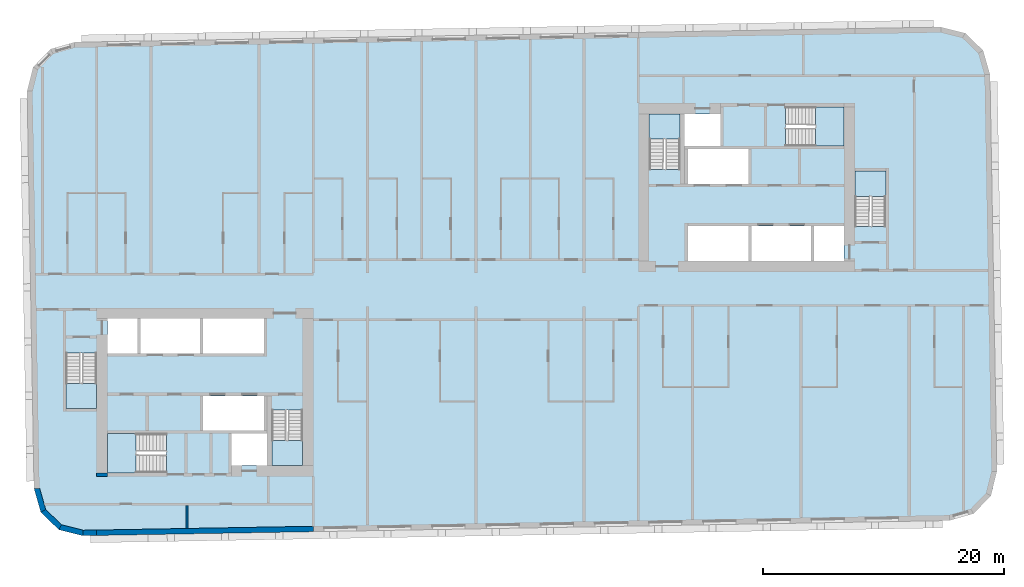
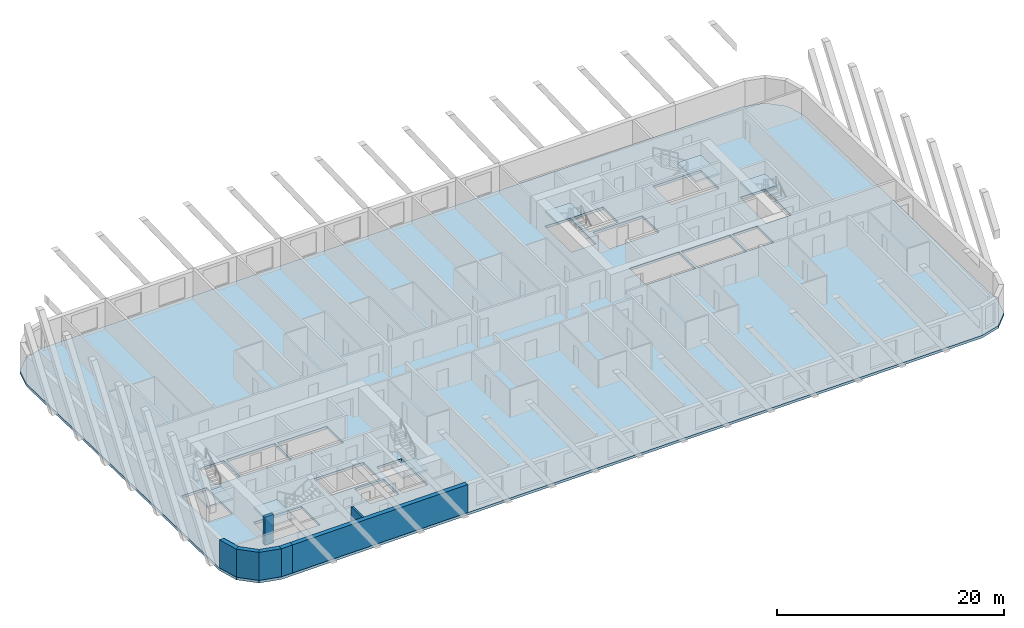
# One storey, part 1 of 12: 7 slabs, 7 walls, 6 elements without a shape of their own.
"""IFC4 building model written with IfcOpenShell, lengths in metres."""

from ifc_helpers import new_model, si_unit, direction, frame, frame_2d, origin, place, context, subcontext, project, spatial, polyline, rectangle, outline, extrude, material, layer, layer_set, type_object, element, aggregate, save


model = new_model("IFC4")

# Units and contexts
model_context = context("Model", 3, precision=1e-05, world=origin(), true_north=direction((0.0, 1.0)))
body_context = subcontext(model_context, "Body", "Model", "MODEL_VIEW")
ifc_project = project(units=[si_unit("LENGTHUNIT", "METRE"), si_unit("AREAUNIT", "SQUARE_METRE"), si_unit("VOLUMEUNIT", "CUBIC_METRE"), si_unit("PLANEANGLEUNIT", "RADIAN"), si_unit("MASSUNIT", "GRAM", prefix="KILO")], contexts=[model_context])

# Site, building, storey
site_placement = place(None, origin())
site = spatial("IfcSite", under=ifc_project, at=site_placement, CompositionType="ELEMENT")
building_placement = place(site_placement, origin())
building = spatial("IfcBuilding", under=site, at=building_placement, Name="Kajstack Hotel Tower", CompositionType="ELEMENT")
storey_placement = place(building_placement, frame((0.0, 0.0, 217.699951171875)))
storey = spatial("IfcBuildingStorey", under=building, at=storey_placement, Name="L52", CompositionType="ELEMENT", Elevation=217.699951171875)

# Slab
ifc_material_1 = material(Name="Concrete C40/50", Category="concrete")
ifc_layer_1 = layer(ifc_material_1, 0.280029296875)
ifc_layer_set_1 = layer_set([ifc_layer_1], Name="RC slab 280 C40/50 guest")
slab_type_1 = type_object("IfcSlabType", Name="RC slab 280 C40/50 guest", PredefinedType="FLOOR", material=ifc_layer_set_1)
slab_1_placement = place(storey_placement, frame((0.0, 0.0, -0.280029296875)))
element("IfcSlab", 1, at=slab_1_placement, inside=storey, type_object=slab_type_1, Name="S-slab-L52", PredefinedType="FLOOR", context=body_context, shape_type="SweptSolid", body=[
    extrude(outline(polyline([(-37.281982421875, 16.49951171875), (-36.705810546875, -16.49560546875), (-36.13525390625, -18.48583984375), (-34.645751953125, -19.92431640625), (-32.63671875, -20.42529296875), (39.352294921875, -19.168701171875), (41.342529296875, -18.597900390625), (42.781005859375, -17.1083984375), (43.281982421875, -15.099365234375), (42.705810546875, 17.8955078125), (42.13525390625, 19.885986328125), (40.645751953125, 21.32421875), (38.63671875, 21.8251953125), (-33.352294921875, 20.568603515625), (-35.342529296875, 19.997802734375), (-36.781005859375, 18.50830078125), (-37.281982421875, 16.49951171875)]), holes=[polyline([(-22.64990234375, -11.699951171875), (-22.64990234375, -8.800048828125), (-17.60009765625, -8.800048828125), (-17.60009765625, -11.699951171875), (-22.64990234375, -11.699951171875)]), polyline([(-27.85009765625, -5.300048828125), (-27.85009765625, -2.39990234375), (-22.89990234375, -2.39990234375), (-22.89990234375, -5.300048828125), (-27.85009765625, -5.300048828125)]), polyline([(-22.64990234375, -5.300048828125), (-22.64990234375, -2.39990234375), (-17.60009765625, -2.39990234375), (-17.60009765625, -5.300048828125), (-22.64990234375, -5.300048828125)]), polyline([(-20.300048828125, -14.60009765625), (-17.35009765625, -14.60009765625), (-17.35009765625, -11.949951171875), (-20.300048828125, -11.949951171875), (-20.300048828125, -14.60009765625)]), polyline([(-30.60009765625, -5.300048828125), (-28.10009765625, -5.300048828125), (-28.10009765625, -2.39990234375), (-30.60009765625, -2.39990234375), (-30.60009765625, -5.300048828125)]), polyline([(17.60009765625, 8.800048828125), (17.60009765625, 11.699951171875), (22.64990234375, 11.699951171875), (22.64990234375, 8.800048828125), (17.60009765625, 8.800048828125)]), polyline([(22.89990234375, 2.39990234375), (22.89990234375, 5.300048828125), (27.85009765625, 5.300048828125), (27.85009765625, 2.39990234375), (22.89990234375, 2.39990234375)]), polyline([(17.60009765625, 2.39990234375), (17.60009765625, 5.300048828125), (22.64990234375, 5.300048828125), (22.64990234375, 2.39990234375), (17.60009765625, 2.39990234375)]), polyline([(20.300048828125, 14.60009765625), (17.35009765625, 14.60009765625), (17.35009765625, 11.949951171875), (20.300048828125, 11.949951171875), (20.300048828125, 14.60009765625)]), polyline([(30.60009765625, 5.300048828125), (28.10009765625, 5.300048828125), (28.10009765625, 2.39990234375), (30.60009765625, 2.39990234375), (30.60009765625, 5.300048828125)]), polyline([(-34.050048828125, -9.85009765625), (-31.5, -9.85009765625), (-31.5, -5.25), (-34.050048828125, -5.25), (-34.050048828125, -9.85009765625)]), polyline([(-16.949951171875, -14.60009765625), (-14.39990234375, -14.60009765625), (-14.39990234375, -10.0), (-16.949951171875, -10.0), (-16.949951171875, -14.60009765625)]), polyline([(-30.60009765625, -15.199951171875), (-25.699951171875, -15.199951171875), (-25.699951171875, -11.949951171875), (-30.60009765625, -11.949951171875), (-30.60009765625, -15.199951171875)]), polyline([(34.050048828125, 9.85009765625), (31.5, 9.85009765625), (31.5, 5.25), (34.050048828125, 5.25), (34.050048828125, 9.85009765625)]), polyline([(16.949951171875, 14.60009765625), (14.39990234375, 14.60009765625), (14.39990234375, 10.0), (16.949951171875, 10.0), (16.949951171875, 14.60009765625)]), polyline([(30.60009765625, 15.199951171875), (25.699951171875, 15.199951171875), (25.699951171875, 11.949951171875), (30.60009765625, 11.949951171875), (30.60009765625, 15.199951171875)])]), origin(), (0.0, 0.0, 1.0), 0.280029296875),
])

# Stair, slab
stair_type_1 = type_object("IfcStairType", Name="Exit stair 1200", PredefinedType="HALF_TURN_STAIR", material=ifc_material_1)
stair_1_placement = place(storey_placement, origin())
stair_1 = element("IfcStair", 2, at=stair_1_placement, inside=storey, type_object=stair_type_1, Name="L52 stair W1", PredefinedType="HALF_TURN_STAIR")
ifc_layer_2 = layer(ifc_material_1, 0.199951171875)
ifc_layer_set_2 = layer_set([ifc_layer_2], Name="Stair landing 200")
slab_type_2 = type_object("IfcSlabType", Name="Stair landing 200", PredefinedType="LANDING", material=ifc_layer_set_2)
slab_2_placement = place(storey_placement, frame((0.0, 0.0, 1.449951171875)))
slab_2 = element("IfcSlab", 3, at=slab_2_placement, type_object=slab_type_2, Name="W1 landing 1", PredefinedType="LANDING", context=body_context, shape_type="SweptSolid", body=[
    extrude(outline(polyline([(-34.050048828125, -7.77001953125), (-34.050048828125, -9.85009765625), (-31.5, -9.85009765625), (-31.5, -7.77001953125), (-34.050048828125, -7.77001953125)])), origin(), (0.0, 0.0, 1.0), 0.2001953125),
])
aggregate(stair_1, [slab_2])

stair_2_placement = place(storey_placement, origin())
stair_2 = element("IfcStair", 4, at=stair_2_placement, inside=storey, type_object=stair_type_1, Name="L52 stair W2", PredefinedType="HALF_TURN_STAIR")
slab_3_placement = place(storey_placement, frame((0.0, 0.0, 1.449951171875)))
slab_3 = element("IfcSlab", 5, at=slab_3_placement, type_object=slab_type_2, Name="W2 landing 1", PredefinedType="LANDING", context=body_context, shape_type="SweptSolid", body=[
    extrude(outline(polyline([(-16.949951171875, -12.52001953125), (-16.949951171875, -14.60009765625), (-14.39990234375, -14.60009765625), (-14.39990234375, -12.52001953125), (-16.949951171875, -12.52001953125)])), origin(), (0.0, 0.0, 1.0), 0.2001953125),
])
aggregate(stair_2, [slab_3])

stair_type_2 = type_object("IfcStairType", Name="Exit stair 1500", PredefinedType="HALF_TURN_STAIR", material=ifc_material_1)
stair_3_placement = place(storey_placement, origin())
stair_3 = element("IfcStair", 6, at=stair_3_placement, inside=storey, type_object=stair_type_2, Name="L52 stair W3", PredefinedType="HALF_TURN_STAIR")
slab_4_placement = place(storey_placement, frame((0.0, 0.0, 1.449951171875)))
slab_4 = element("IfcSlab", 7, at=slab_4_placement, type_object=slab_type_2, Name="W3 landing 1", PredefinedType="LANDING", context=body_context, shape_type="SweptSolid", body=[
    extrude(outline(polyline([(-28.219970703125, -11.949951171875), (-30.60009765625, -11.949951171875), (-30.60009765625, -15.199951171875), (-28.219970703125, -15.199951171875), (-28.219970703125, -11.949951171875)])), origin(), (0.0, 0.0, 1.0), 0.2001953125),
])
aggregate(stair_3, [slab_4])

stair_4_placement = place(storey_placement, origin())
stair_4 = element("IfcStair", 8, at=stair_4_placement, inside=storey, type_object=stair_type_1, Name="L52 stair E1", PredefinedType="HALF_TURN_STAIR")
slab_5_placement = place(storey_placement, frame((0.0, 0.0, 1.449951171875)))
slab_5 = element("IfcSlab", 9, at=slab_5_placement, type_object=slab_type_2, Name="E1 landing 1", PredefinedType="LANDING", context=body_context, shape_type="SweptSolid", body=[
    extrude(outline(polyline([(34.050048828125, 7.77001953125), (34.050048828125, 9.85009765625), (31.5, 9.85009765625), (31.5, 7.77001953125), (34.050048828125, 7.77001953125)])), origin(), (0.0, 0.0, 1.0), 0.2001953125),
])
aggregate(stair_4, [slab_5])

stair_5_placement = place(storey_placement, origin())
stair_5 = element("IfcStair", 10, at=stair_5_placement, inside=storey, type_object=stair_type_1, Name="L52 stair E2", PredefinedType="HALF_TURN_STAIR")
slab_6_placement = place(storey_placement, frame((0.0, 0.0, 1.449951171875)))
slab_6 = element("IfcSlab", 11, at=slab_6_placement, type_object=slab_type_2, Name="E2 landing 1", PredefinedType="LANDING", context=body_context, shape_type="SweptSolid", body=[
    extrude(outline(polyline([(16.949951171875, 12.52001953125), (16.949951171875, 14.60009765625), (14.39990234375, 14.60009765625), (14.39990234375, 12.52001953125), (16.949951171875, 12.52001953125)])), origin(), (0.0, 0.0, 1.0), 0.2001953125),
])
aggregate(stair_5, [slab_6])

stair_6_placement = place(storey_placement, origin())
stair_6 = element("IfcStair", 12, at=stair_6_placement, inside=storey, type_object=stair_type_2, Name="L52 stair E3", PredefinedType="HALF_TURN_STAIR")
slab_7_placement = place(storey_placement, frame((0.0, 0.0, 1.449951171875)))
slab_7 = element("IfcSlab", 13, at=slab_7_placement, type_object=slab_type_2, Name="E3 landing 1", PredefinedType="LANDING", context=body_context, shape_type="SweptSolid", body=[
    extrude(outline(polyline([(28.219970703125, 11.949951171875), (30.60009765625, 11.949951171875), (30.60009765625, 15.199951171875), (28.219970703125, 15.199951171875), (28.219970703125, 11.949951171875)])), origin(), (0.0, 0.0, 1.0), 0.2001953125),
])
aggregate(stair_6, [slab_7])

# Walls
ifc_material_2 = material(Name="Concrete C60/75", Category="concrete")
ifc_layer_3 = layer(ifc_material_2, 0.89990234375)
ifc_layer_set_3 = layer_set([ifc_layer_3], Name="Core wall 900")
wall_type_1 = type_object("IfcWallType", Name="Core wall 900", PredefinedType="SHEAR", material=ifc_layer_set_3)
wall_1_placement = place(storey_placement, frame((-31.5, -15.35009765625, 0.0), z_axis=(0.0, 0.0, 1.0), x_axis=(1.0, 0.0, 0.0)))
element("IfcWall", 14, at=wall_1_placement, inside=storey, type_object=wall_type_1, Name="Core wall W RSW", PredefinedType="SHEAR", context=body_context, shape_type="SweptSolid", body=[
    extrude(rectangle(XDim=0.89990234375, YDim=0.300048828125, at=frame_2d((0.449951171875, 0.0))), origin(), (0.0, 0.0, 1.0), 3.02001953125),
])
ifc_layer_4 = layer(ifc_material_1, 0.449951171875)
ifc_layer_set_4 = layer_set([ifc_layer_4], Name="EW-CORE")
wall_type_2 = type_object("IfcWallType", Name="EW-CORE", PredefinedType="SOLIDWALL", material=ifc_layer_set_4)
wall_2_placement = place(storey_placement, frame((-31.50390625, -20.180419921875, 0.0), z_axis=(0.0, 0.0, 1.0), x_axis=(0.999847677887, 0.017453395744, 0.0)))
element("IfcWall", 15, at=wall_2_placement, inside=storey, type_object=wall_type_2, Name="E-wall-L52-04-01", PredefinedType="SOLIDWALL", context=body_context, shape_type="SweptSolid", body=[
    extrude(rectangle(XDim=18.002685546875, YDim=0.449951171875, at=frame_2d((9.00146484375, 0.0))), origin(), (0.0, 0.0, 1.0), 3.02001953125),
])
ifc_material_3 = material(Name="Terracotta-faced brick masonry", Category="masonry")
ifc_layer_5 = layer(ifc_material_3, 0.449951171875)
ifc_layer_set_5 = layer_set([ifc_layer_5], Name="EW-TERRA")
wall_type_3 = type_object("IfcWallType", Name="EW-TERRA", PredefinedType="SOLIDWALL", material=ifc_layer_set_5)
wall_3_placement = place(storey_placement, frame((-36.489501953125, -16.43359375, 0.0), z_axis=(0.0, 0.0, 1.0), x_axis=(0.275577603096, -0.961278827745, 0.0)))
element("IfcWall", 16, at=wall_3_placement, inside=storey, type_object=wall_type_3, Name="E-wall-L52-01-00", PredefinedType="SOLIDWALL", context=body_context, shape_type="SweptSolid", body=[
    extrude(outline(polyline([(0.0, -0.22509765625), (2.070556640625, -0.22509765625), (1.949951171875, 0.22509765625), (0.12060546875, 0.224853515625), (0.0, -0.22509765625)])), origin(), (0.0, 0.0, 1.0), 3.02001953125),
])
wall_4_placement = place(storey_placement, frame((-35.97900390625, -18.323974609375, 0.0), z_axis=(0.0, 0.0, 1.0), x_axis=(0.719320193998, -0.694678672846, 0.0)))
element("IfcWall", 17, at=wall_4_placement, inside=storey, type_object=wall_type_3, Name="E-wall-L52-02-00", PredefinedType="SOLIDWALL", context=body_context, shape_type="SweptSolid", body=[
    extrude(outline(polyline([(0.000244140625, -0.22509765625), (2.07080078125, -0.22509765625), (1.9501953125, 0.22509765625), (0.12060546875, 0.22509765625), (0.000244140625, -0.22509765625)])), origin(), (0.0, 0.0, 1.0), 3.02001953125),
])
wall_5_placement = place(storey_placement, frame((-34.59130859375, -19.7060546875, 0.0), z_axis=(0.0, 0.0, 1.0), x_axis=(0.970315655375, -0.241841950319, 0.0)))
element("IfcWall", 18, at=wall_5_placement, inside=storey, type_object=wall_type_3, Name="E-wall-L52-03-00", PredefinedType="SOLIDWALL", context=body_context, shape_type="SweptSolid", body=[
    extrude(outline(polyline([(0.0, -0.224853515625), (2.070556640625, -0.22509765625), (1.949951171875, 0.224853515625), (0.12060546875, 0.22509765625), (0.0, -0.224853515625)])), origin(), (0.0, 0.0, 1.0), 3.02001953125),
])
wall_6_placement = place(storey_placement, frame((-32.640625, -20.2001953125, 0.0), z_axis=(0.0, 0.0, 1.0), x_axis=(0.99984870815, 0.017394275206, 0.0)))
element("IfcWall", 19, at=wall_6_placement, inside=storey, type_object=wall_type_3, Name="E-wall-L52-04-00", PredefinedType="SOLIDWALL", context=body_context, shape_type="SweptSolid", body=[
    extrude(rectangle(XDim=1.136962890625, YDim=0.449951171875, at=frame_2d((0.568359375, 0.0))), origin(), (0.0, 0.0, 1.0), 3.02001953125),
])
ifc_material_4 = material(Name="Gypsum board on steel studs, mineral wool", Category="steel")
ifc_layer_6 = layer(ifc_material_4, 0.199951171875)
ifc_layer_set_6 = layer_set([ifc_layer_6], Name="Service partition 200")
wall_type_4 = type_object("IfcWallType", Name="Service partition 200", PredefinedType="PARTITIONING", material=ifc_layer_set_6)
wall_7_placement = place(storey_placement, frame((-24.0, -19.824462890625, 0.0), z_axis=(0.0, 0.0, 1.0), x_axis=(0.0, 1.0, 0.0)))
element("IfcWall", 20, at=wall_7_placement, inside=storey, type_object=wall_type_4, Name="Partition W SLP0", PredefinedType="PARTITIONING", context=body_context, shape_type="SweptSolid", body=[
    extrude(rectangle(XDim=1.924560546875, YDim=0.199951171875, at=frame_2d((0.96240234375, 0.0))), origin(), (0.0, 0.0, 1.0), 3.02001953125),
])

save(model, "model.ifc")
